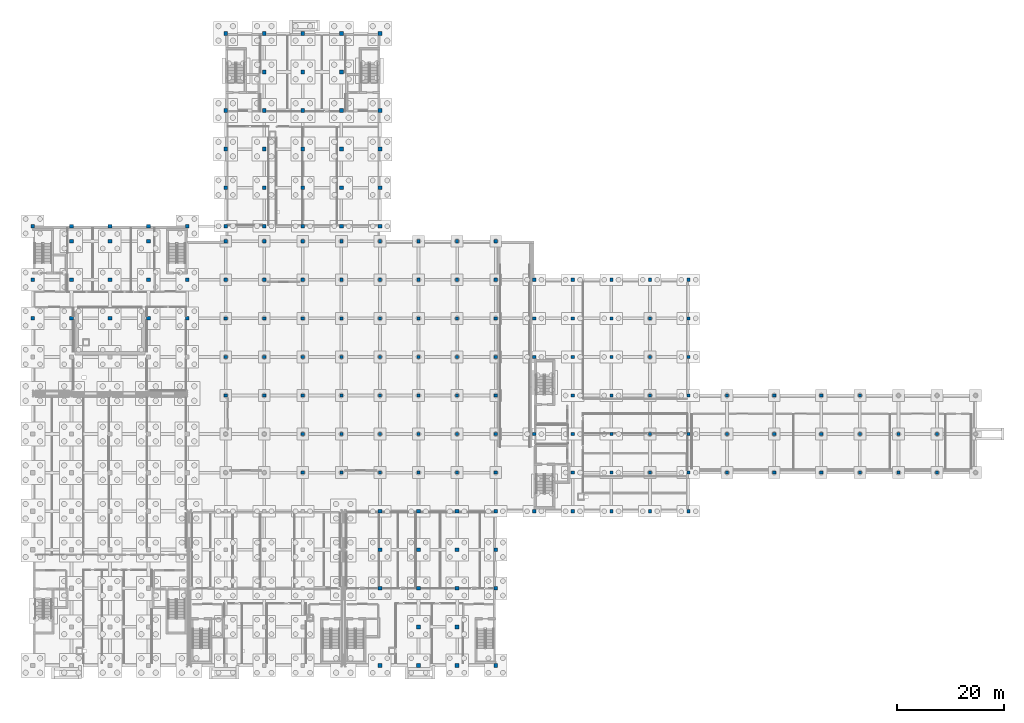
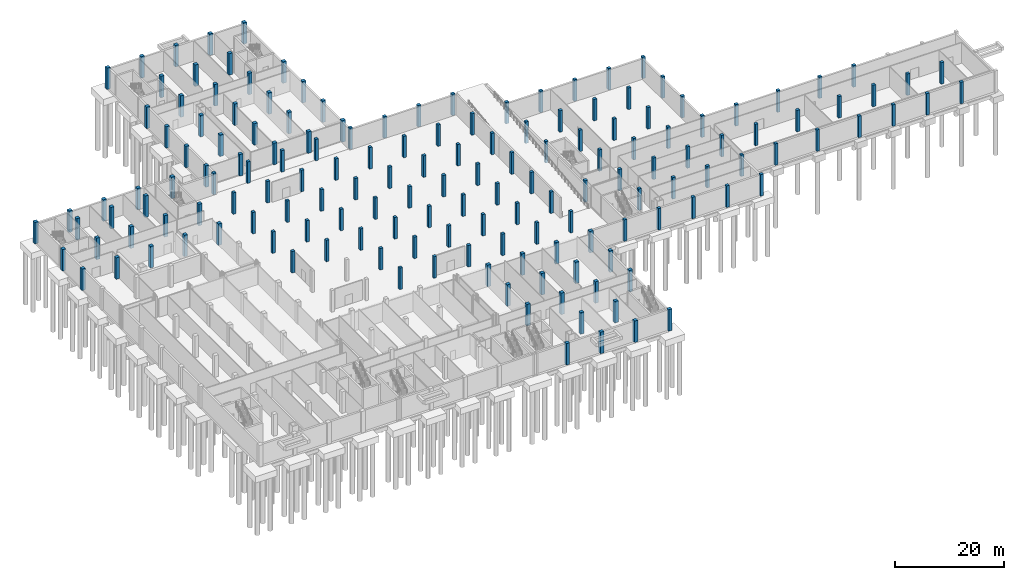
# One storey, part 12 of 35: 165 columns.
"""IFC4 building model written with IfcOpenShell, lengths in metres."""

from ifc_helpers import new_model, si_unit, direction, frame, origin, origin_2d, place, context, subcontext, project, spatial, rectangle, extrude, material, material_profile, profile_set, type_object, element, save


model = new_model("IFC4")

# Units and contexts
model_context = context("Model", 3, precision=1e-05, world=origin(), true_north=direction((0.0, 1.0)))
body_context = subcontext(model_context, "Body", "Model", "MODEL_VIEW")
ifc_project = project(units=[si_unit("LENGTHUNIT", "METRE"), si_unit("AREAUNIT", "SQUARE_METRE"), si_unit("VOLUMEUNIT", "CUBIC_METRE"), si_unit("PLANEANGLEUNIT", "RADIAN"), si_unit("MASSUNIT", "GRAM", prefix="KILO")], contexts=[model_context])

# Site, building, storey
site_placement = place(None, origin())
site = spatial("IfcSite", under=ifc_project, at=site_placement, CompositionType="ELEMENT")
building_placement = place(site_placement, origin())
building = spatial("IfcBuilding", under=site, at=building_placement, Name="Zarrinpeak Specialist Clinic", CompositionType="ELEMENT")
storey_placement = place(building_placement, frame((0.0, 0.0, -4.800048828125)))
storey = spatial("IfcBuildingStorey", under=building, at=storey_placement, Name="B01", CompositionType="ELEMENT", Elevation=-4.800048828125)

# Columns
ifc_material = material(Name="Concrete C40/50", Category="concrete")
ifc_material_profile_1 = material_profile(ifc_material, rectangle(XDim=0.60009765625, YDim=0.60009765625, at=origin_2d()), Name="RC 600x600")
ifc_profile_set_1 = profile_set([ifc_material_profile_1], Name="Concrete C40/50")
column_type_1 = type_object("IfcColumnType", Name="COL-RC600", PredefinedType="COLUMN", material=ifc_profile_set_1)
for number, where, z_axis, x_axis, name in (
    (1, (36.0, 50.39990234375, 0.0), (0.0, 0.0, 1.0), (1.0, 0.0, 0.0), "B01 Structural Column COL-B01-076"),
    (2, (36.0, 57.60009765625, 0.0), (0.0, 0.0, 1.0), (1.0, 0.0, 0.0), "B01 Structural Column COL-B01-077"),
    (3, (36.0, 64.800048828125, 0.0), (0.0, 0.0, 1.0), (1.0, 0.0, 0.0), "B01 Structural Column COL-B01-078"),
    (4, (36.0, 72.0, 0.0), (0.0, 0.0, 1.0), (1.0, 0.0, 0.0), "B01 Structural Column COL-B01-079"),
    (5, (36.0, 79.199951171875, 0.0), (0.0, 0.0, 1.0), (1.0, 0.0, 0.0), "B01 Structural Column COL-B01-080"),
    (6, (43.199951171875, 50.39990234375, 0.0), (0.0, 0.0, 1.0), (1.0, 0.0, 0.0), "B01 Structural Column COL-B01-093"),
    (7, (43.199951171875, 57.60009765625, 0.0), (0.0, 0.0, 1.0), (1.0, 0.0, 0.0), "B01 Structural Column COL-B01-094"),
    (8, (43.199951171875, 64.800048828125, 0.0), (0.0, 0.0, 1.0), (1.0, 0.0, 0.0), "B01 Structural Column COL-B01-095"),
    (9, (43.199951171875, 72.0, 0.0), (0.0, 0.0, 1.0), (1.0, 0.0, 0.0), "B01 Structural Column COL-B01-096"),
    (10, (43.199951171875, 79.199951171875, 0.0), (0.0, 0.0, 1.0), (1.0, 0.0, 0.0), "B01 Structural Column COL-B01-097"),
    (11, (50.39990234375, 36.0, 0.0), (0.0, 0.0, 1.0), (1.0, 0.0, 0.0), "B01 Structural Column COL-B01-109"),
    (12, (50.39990234375, 43.199951171875, 0.0), (0.0, 0.0, 1.0), (1.0, 0.0, 0.0), "B01 Structural Column COL-B01-110"),
    (13, (50.39990234375, 50.39990234375, 0.0), (0.0, 0.0, 1.0), (1.0, 0.0, 0.0), "B01 Structural Column COL-B01-111"),
    (14, (50.39990234375, 57.60009765625, 0.0), (0.0, 0.0, 1.0), (1.0, 0.0, 0.0), "B01 Structural Column COL-B01-112"),
    (15, (50.39990234375, 64.800048828125, 0.0), (0.0, 0.0, 1.0), (1.0, 0.0, 0.0), "B01 Structural Column COL-B01-113"),
    (16, (50.39990234375, 72.0, 0.0), (0.0, 0.0, 1.0), (1.0, 0.0, 0.0), "B01 Structural Column COL-B01-114"),
    (17, (50.39990234375, 79.199951171875, 0.0), (0.0, 0.0, 1.0), (1.0, 0.0, 0.0), "B01 Structural Column COL-B01-115"),
    (18, (57.60009765625, 36.0, 0.0), (0.0, 0.0, 1.0), (1.0, 0.0, 0.0), "B01 Structural Column COL-B01-126"),
    (19, (57.60009765625, 43.199951171875, 0.0), (0.0, 0.0, 1.0), (1.0, 0.0, 0.0), "B01 Structural Column COL-B01-127"),
    (20, (57.60009765625, 50.39990234375, 0.0), (0.0, 0.0, 1.0), (1.0, 0.0, 0.0), "B01 Structural Column COL-B01-128"),
    (21, (57.60009765625, 57.60009765625, 0.0), (0.0, 0.0, 1.0), (1.0, 0.0, 0.0), "B01 Structural Column COL-B01-129"),
    (22, (57.60009765625, 64.800048828125, 0.0), (0.0, 0.0, 1.0), (1.0, 0.0, 0.0), "B01 Structural Column COL-B01-130"),
    (23, (57.60009765625, 72.0, 0.0), (0.0, 0.0, 1.0), (1.0, 0.0, 0.0), "B01 Structural Column COL-B01-131"),
    (24, (57.60009765625, 79.199951171875, 0.0), (0.0, 0.0, 1.0), (1.0, 0.0, 0.0), "B01 Structural Column COL-B01-132"),
    (25, (64.800048828125, 36.0, 0.0), (0.0, 0.0, 1.0), (1.0, 0.0, 0.0), "B01 Structural Column COL-B01-147"),
    (26, (64.800048828125, 43.199951171875, 0.0), (0.0, 0.0, 1.0), (1.0, 0.0, 0.0), "B01 Structural Column COL-B01-148"),
    (27, (64.800048828125, 50.39990234375, 0.0), (0.0, 0.0, 1.0), (1.0, 0.0, 0.0), "B01 Structural Column COL-B01-149"),
    (28, (64.800048828125, 57.60009765625, 0.0), (0.0, 0.0, 1.0), (1.0, 0.0, 0.0), "B01 Structural Column COL-B01-150"),
    (29, (64.800048828125, 64.800048828125, 0.0), (0.0, 0.0, 1.0), (1.0, 0.0, 0.0), "B01 Structural Column COL-B01-151"),
    (30, (64.800048828125, 72.0, 0.0), (0.0, 0.0, 1.0), (1.0, 0.0, 0.0), "B01 Structural Column COL-B01-152"),
    (31, (64.800048828125, 79.199951171875, 0.0), (0.0, 0.0, 1.0), (1.0, 0.0, 0.0), "B01 Structural Column COL-B01-153"),
    (32, (72.0, 36.0, 0.0), (0.0, 0.0, 1.0), (1.0, 0.0, 0.0), "B01 Structural Column COL-B01-164"),
    (33, (72.0, 43.199951171875, 0.0), (0.0, 0.0, 1.0), (1.0, 0.0, 0.0), "B01 Structural Column COL-B01-165"),
    (34, (72.0, 50.39990234375, 0.0), (0.0, 0.0, 1.0), (1.0, 0.0, 0.0), "B01 Structural Column COL-B01-166"),
    (35, (72.0, 57.60009765625, 0.0), (0.0, 0.0, 1.0), (1.0, 0.0, 0.0), "B01 Structural Column COL-B01-167"),
    (36, (72.0, 64.800048828125, 0.0), (0.0, 0.0, 1.0), (1.0, 0.0, 0.0), "B01 Structural Column COL-B01-168"),
    (37, (72.0, 72.0, 0.0), (0.0, 0.0, 1.0), (1.0, 0.0, 0.0), "B01 Structural Column COL-B01-169"),
    (38, (72.0, 79.199951171875, 0.0), (0.0, 0.0, 1.0), (1.0, 0.0, 0.0), "B01 Structural Column COL-B01-170"),
    (39, (79.199951171875, 36.0, 0.0), (0.0, 0.0, 1.0), (1.0, 0.0, 0.0), "B01 Structural Column COL-B01-176"),
    (40, (79.199951171875, 43.199951171875, 0.0), (0.0, 0.0, 1.0), (1.0, 0.0, 0.0), "B01 Structural Column COL-B01-177"),
    (41, (79.199951171875, 50.39990234375, 0.0), (0.0, 0.0, 1.0), (1.0, 0.0, 0.0), "B01 Structural Column COL-B01-178"),
    (42, (79.199951171875, 57.60009765625, 0.0), (0.0, 0.0, 1.0), (1.0, 0.0, 0.0), "B01 Structural Column COL-B01-179"),
    (43, (79.199951171875, 64.800048828125, 0.0), (0.0, 0.0, 1.0), (1.0, 0.0, 0.0), "B01 Structural Column COL-B01-180"),
    (44, (79.199951171875, 72.0, 0.0), (0.0, 0.0, 1.0), (1.0, 0.0, 0.0), "B01 Structural Column COL-B01-181"),
    (45, (79.199951171875, 79.199951171875, 0.0), (0.0, 0.0, 1.0), (1.0, 0.0, 0.0), "B01 Structural Column COL-B01-182"),
    (46, (86.39990234375, 36.0, 0.0), (0.0, 0.0, 1.0), (1.0, 0.0, 0.0), "B01 Structural Column COL-B01-187"),
    (47, (86.39990234375, 43.199951171875, 0.0), (0.0, 0.0, 1.0), (1.0, 0.0, 0.0), "B01 Structural Column COL-B01-188"),
    (48, (86.39990234375, 50.39990234375, 0.0), (0.0, 0.0, 1.0), (1.0, 0.0, 0.0), "B01 Structural Column COL-B01-189"),
    (49, (86.39990234375, 57.60009765625, 0.0), (0.0, 0.0, 1.0), (1.0, 0.0, 0.0), "B01 Structural Column COL-B01-190"),
    (50, (86.39990234375, 64.800048828125, 0.0), (0.0, 0.0, 1.0), (1.0, 0.0, 0.0), "B01 Structural Column COL-B01-191"),
    (51, (86.39990234375, 72.0, 0.0), (0.0, 0.0, 1.0), (1.0, 0.0, 0.0), "B01 Structural Column COL-B01-192"),
    (52, (86.39990234375, 79.199951171875, 0.0), (0.0, 0.0, 1.0), (1.0, 0.0, 0.0), "B01 Structural Column COL-B01-193"),
    (53, (93.60009765625, 28.800048828125, 0.0), (0.0, 0.0, 1.0), (1.0, 0.0, 0.0), "B01 Structural Column COL-B01-194"),
    (54, (93.60009765625, 43.199951171875, 0.0), (0.0, 0.0, 1.0), (1.0, 0.0, 0.0), "B01 Structural Column COL-B01-195"),
    (55, (93.60009765625, 57.60009765625, 0.0), (0.0, 0.0, 1.0), (1.0, 0.0, 0.0), "B01 Structural Column COL-B01-196"),
    (56, (93.60009765625, 64.800048828125, 0.0), (0.0, 0.0, 1.0), (1.0, 0.0, 0.0), "B01 Structural Column COL-B01-197"),
    (57, (93.60009765625, 72.0, 0.0), (0.0, 0.0, 1.0), (1.0, 0.0, 0.0), "B01 Structural Column COL-B01-198"),
    (58, (100.800048828125, 28.800048828125, 0.0), (0.0, 0.0, 1.0), (1.0, 0.0, 0.0), "B01 Structural Column COL-B01-199"),
    (59, (100.800048828125, 36.0, 0.0), (0.0, 0.0, 1.0), (1.0, 0.0, 0.0), "B01 Structural Column COL-B01-200"),
    (60, (100.800048828125, 43.199951171875, 0.0), (0.0, 0.0, 1.0), (1.0, 0.0, 0.0), "B01 Structural Column COL-B01-201"),
    (61, (100.800048828125, 50.39990234375, 0.0), (0.0, 0.0, 1.0), (1.0, 0.0, 0.0), "B01 Structural Column COL-B01-202"),
    (62, (100.800048828125, 57.60009765625, 0.0), (0.0, 0.0, 1.0), (1.0, 0.0, 0.0), "B01 Structural Column COL-B01-203"),
    (63, (100.800048828125, 64.800048828125, 0.0), (0.0, 0.0, 1.0), (1.0, 0.0, 0.0), "B01 Structural Column COL-B01-204"),
    (64, (100.800048828125, 72.0, 0.0), (0.0, 0.0, 1.0), (1.0, 0.0, 0.0), "B01 Structural Column COL-B01-205"),
    (65, (108.0, 28.800048828125, 0.0), (0.0, 0.0, 1.0), (1.0, 0.0, 0.0), "B01 Structural Column COL-B01-206"),
    (66, (108.0, 36.0, 0.0), (0.0, 0.0, 1.0), (1.0, 0.0, 0.0), "B01 Structural Column COL-B01-207"),
    (67, (108.0, 43.199951171875, 0.0), (0.0, 0.0, 1.0), (1.0, 0.0, 0.0), "B01 Structural Column COL-B01-208"),
    (68, (108.0, 50.39990234375, 0.0), (0.0, 0.0, 1.0), (1.0, 0.0, 0.0), "B01 Structural Column COL-B01-209"),
    (69, (108.0, 57.60009765625, 0.0), (0.0, 0.0, 1.0), (1.0, 0.0, 0.0), "B01 Structural Column COL-B01-210"),
    (70, (108.0, 64.800048828125, 0.0), (0.0, 0.0, 1.0), (1.0, 0.0, 0.0), "B01 Structural Column COL-B01-211"),
    (71, (108.0, 72.0, 0.0), (0.0, 0.0, 1.0), (1.0, 0.0, 0.0), "B01 Structural Column COL-B01-212"),
    (72, (115.199951171875, 28.800048828125, 0.0), (0.0, 0.0, 1.0), (1.0, 0.0, 0.0), "B01 Structural Column COL-B01-213"),
    (73, (115.199951171875, 36.0, 0.0), (0.0, 0.0, 1.0), (1.0, 0.0, 0.0), "B01 Structural Column COL-B01-214"),
    (74, (115.199951171875, 43.199951171875, 0.0), (0.0, 0.0, 1.0), (1.0, 0.0, 0.0), "B01 Structural Column COL-B01-215"),
    (75, (115.199951171875, 50.39990234375, 0.0), (0.0, 0.0, 1.0), (1.0, 0.0, 0.0), "B01 Structural Column COL-B01-216"),
    (76, (115.199951171875, 57.60009765625, 0.0), (0.0, 0.0, 1.0), (1.0, 0.0, 0.0), "B01 Structural Column COL-B01-217"),
    (77, (115.199951171875, 64.800048828125, 0.0), (0.0, 0.0, 1.0), (1.0, 0.0, 0.0), "B01 Structural Column COL-B01-218"),
    (78, (115.199951171875, 72.0, 0.0), (0.0, 0.0, 1.0), (1.0, 0.0, 0.0), "B01 Structural Column COL-B01-219"),
    (79, (122.39990234375, 28.800048828125, 0.0), (0.0, 0.0, 1.0), (1.0, 0.0, 0.0), "B01 Structural Column COL-B01-220"),
    (80, (122.39990234375, 36.0, 0.0), (0.0, 0.0, 1.0), (1.0, 0.0, 0.0), "B01 Structural Column COL-B01-221"),
    (81, (122.39990234375, 43.199951171875, 0.0), (0.0, 0.0, 1.0), (1.0, 0.0, 0.0), "B01 Structural Column COL-B01-222"),
    (82, (122.39990234375, 50.39990234375, 0.0), (0.0, 0.0, 1.0), (1.0, 0.0, 0.0), "B01 Structural Column COL-B01-223"),
    (83, (122.39990234375, 57.60009765625, 0.0), (0.0, 0.0, 1.0), (1.0, 0.0, 0.0), "B01 Structural Column COL-B01-224"),
    (84, (122.39990234375, 64.800048828125, 0.0), (0.0, 0.0, 1.0), (1.0, 0.0, 0.0), "B01 Structural Column COL-B01-225"),
    (85, (122.39990234375, 72.0, 0.0), (0.0, 0.0, 1.0), (1.0, 0.0, 0.0), "B01 Structural Column COL-B01-226"),
    (86, (129.60009765625, 36.0, 0.0), (0.0, 0.0, 1.0), (1.0, 0.0, 0.0), "B01 Structural Column COL-B01-227"),
    (87, (129.60009765625, 43.199951171875, 0.0), (0.0, 0.0, 1.0), (1.0, 0.0, 0.0), "B01 Structural Column COL-B01-228"),
    (88, (129.60009765625, 50.39990234375, 0.0), (0.0, 0.0, 1.0), (1.0, 0.0, 0.0), "B01 Structural Column COL-B01-229"),
    (89, (138.39990234375, 36.0, 0.0), (0.0, 0.0, 1.0), (1.0, 0.0, 0.0), "B01 Structural Column COL-B01-230"),
    (90, (138.39990234375, 43.199951171875, 0.0), (0.0, 0.0, 1.0), (1.0, 0.0, 0.0), "B01 Structural Column COL-B01-231"),
    (91, (138.39990234375, 50.39990234375, 0.0), (0.0, 0.0, 1.0), (1.0, 0.0, 0.0), "B01 Structural Column COL-B01-232"),
    (92, (147.199951171875, 36.0, 0.0), (0.0, 0.0, 1.0), (1.0, 0.0, 0.0), "B01 Structural Column COL-B01-233"),
    (93, (147.199951171875, 43.199951171875, 0.0), (0.0, 0.0, 1.0), (1.0, 0.0, 0.0), "B01 Structural Column COL-B01-234"),
    (94, (147.199951171875, 50.39990234375, 0.0), (0.0, 0.0, 1.0), (1.0, 0.0, 0.0), "B01 Structural Column COL-B01-235"),
    (95, (154.39990234375, 36.0, 0.0), (0.0, 0.0, 1.0), (1.0, 0.0, 0.0), "B01 Structural Column COL-B01-236"),
    (96, (154.39990234375, 43.199951171875, 0.0), (0.0, 0.0, 1.0), (1.0, 0.0, 0.0), "B01 Structural Column COL-B01-237"),
    (97, (154.39990234375, 50.39990234375, 0.0), (0.0, 0.0, 1.0), (1.0, 0.0, 0.0), "B01 Structural Column COL-B01-238"),
    (98, (161.60009765625, 36.0, 0.0), (0.0, 0.0, 1.0), (1.0, 0.0, 0.0), "B01 Structural Column COL-B01-239"),
    (99, (161.60009765625, 43.199951171875, 0.0), (0.0, 0.0, 1.0), (1.0, 0.0, 0.0), "B01 Structural Column COL-B01-240"),
    (100, (168.800048828125, 36.0, 0.0), (0.0, 0.0, 1.0), (1.0, 0.0, 0.0), "B01 Structural Column COL-B01-242"),
    (101, (168.800048828125, 43.199951171875, 0.0), (0.0, 0.0, 1.0), (1.0, 0.0, 0.0), "B01 Structural Column COL-B01-243"),
):
    element("IfcColumn", number, at=place(storey_placement, frame(where, z_axis=z_axis, x_axis=x_axis)), inside=storey, type_object=column_type_1, Name=name, PredefinedType="COLUMN", context=body_context, shape_type="SweptSolid", body=[
        extrude(rectangle(XDim=0.60009765625, YDim=0.60009765625, at=origin_2d()), origin(), (0.0, 0.0, 1.0), 4.800048828125),
    ])
ifc_material_profile_2 = material_profile(ifc_material, rectangle(XDim=0.699951171875, YDim=0.699951171875, at=origin_2d()), Name="RC 700x700")
ifc_profile_set_2 = profile_set([ifc_material_profile_2], Name="Concrete C40/50")
column_type_2 = type_object("IfcColumnType", Name="COL-RC700", PredefinedType="COLUMN", material=ifc_profile_set_2)
for number, where, z_axis, x_axis, name in (
    (102, (0.0, 64.800048828125, 0.0), (0.0, 0.0, 1.0), (1.0, 0.0, 0.0), "B01 Structural Column COL-B01-009"),
    (103, (0.0, 72.0, 0.0), (0.0, 0.0, 1.0), (1.0, 0.0, 0.0), "B01 Structural Column COL-B01-010"),
    (104, (0.0, 82.0, 0.0), (0.0, 0.0, 1.0), (1.0, 0.0, 0.0), "B01 Structural Column COL-B01-011"),
    (105, (7.199951171875, 64.800048828125, 0.0), (0.0, 0.0, 1.0), (1.0, 0.0, 0.0), "B01 Structural Column COL-B01-022"),
    (106, (7.199951171875, 72.0, 0.0), (0.0, 0.0, 1.0), (1.0, 0.0, 0.0), "B01 Structural Column COL-B01-023"),
    (107, (7.199951171875, 79.199951171875, 0.0), (0.0, 0.0, 1.0), (1.0, 0.0, 0.0), "B01 Structural Column COL-B01-024"),
    (108, (7.199951171875, 82.0, 0.0), (0.0, 0.0, 1.0), (1.0, 0.0, 0.0), "B01 Structural Column COL-B01-025"),
    (109, (14.39990234375, 64.800048828125, 0.0), (0.0, 0.0, 1.0), (1.0, 0.0, 0.0), "B01 Structural Column COL-B01-036"),
    (110, (14.39990234375, 72.0, 0.0), (0.0, 0.0, 1.0), (1.0, 0.0, 0.0), "B01 Structural Column COL-B01-037"),
    (111, (14.39990234375, 79.199951171875, 0.0), (0.0, 0.0, 1.0), (1.0, 0.0, 0.0), "B01 Structural Column COL-B01-038"),
    (112, (14.39990234375, 82.0, 0.0), (0.0, 0.0, 1.0), (1.0, 0.0, 0.0), "B01 Structural Column COL-B01-039"),
    (113, (21.60009765625, 64.800048828125, 0.0), (0.0, 0.0, 1.0), (1.0, 0.0, 0.0), "B01 Structural Column COL-B01-050"),
    (114, (21.60009765625, 72.0, 0.0), (0.0, 0.0, 1.0), (1.0, 0.0, 0.0), "B01 Structural Column COL-B01-051"),
    (115, (21.60009765625, 79.199951171875, 0.0), (0.0, 0.0, 1.0), (1.0, 0.0, 0.0), "B01 Structural Column COL-B01-052"),
    (116, (21.60009765625, 82.0, 0.0), (0.0, 0.0, 1.0), (1.0, 0.0, 0.0), "B01 Structural Column COL-B01-053"),
    (117, (28.800048828125, 64.800048828125, 0.0), (0.0, 0.0, 1.0), (1.0, 0.0, 0.0), "B01 Structural Column COL-B01-062"),
    (118, (28.800048828125, 72.0, 0.0), (0.0, 0.0, 1.0), (1.0, 0.0, 0.0), "B01 Structural Column COL-B01-063"),
    (119, (28.800048828125, 82.0, 0.0), (0.0, 0.0, 1.0), (1.0, 0.0, 0.0), "B01 Structural Column COL-B01-064"),
    (120, (36.0, 82.0, 0.0), (0.0, 0.0, 1.0), (1.0, 0.0, 0.0), "B01 Structural Column COL-B01-081"),
    (121, (36.0, 89.199951171875, 0.0), (0.0, 0.0, 1.0), (1.0, 0.0, 0.0), "B01 Structural Column COL-B01-082"),
    (122, (36.0, 96.39990234375, 0.0), (0.0, 0.0, 1.0), (1.0, 0.0, 0.0), "B01 Structural Column COL-B01-083"),
    (123, (36.0, 103.60009765625, 0.0), (0.0, 0.0, 1.0), (1.0, 0.0, 0.0), "B01 Structural Column COL-B01-084"),
    (124, (36.0, 118.0, 0.0), (0.0, 0.0, 1.0), (1.0, 0.0, 0.0), "B01 Structural Column COL-B01-085"),
    (125, (43.199951171875, 82.0, 0.0), (0.0, 0.0, 1.0), (1.0, 0.0, 0.0), "B01 Structural Column COL-B01-098"),
    (126, (43.199951171875, 89.199951171875, 0.0), (0.0, 0.0, 1.0), (1.0, 0.0, 0.0), "B01 Structural Column COL-B01-099"),
    (127, (43.199951171875, 96.39990234375, 0.0), (0.0, 0.0, 1.0), (1.0, 0.0, 0.0), "B01 Structural Column COL-B01-100"),
    (128, (43.199951171875, 103.60009765625, 0.0), (0.0, 0.0, 1.0), (1.0, 0.0, 0.0), "B01 Structural Column COL-B01-101"),
    (129, (43.199951171875, 110.800048828125, 0.0), (0.0, 0.0, 1.0), (1.0, 0.0, 0.0), "B01 Structural Column COL-B01-102"),
    (130, (43.199951171875, 118.0, 0.0), (0.0, 0.0, 1.0), (1.0, 0.0, 0.0), "B01 Structural Column COL-B01-103"),
    (131, (50.39990234375, 82.0, 0.0), (0.0, 0.0, 1.0), (1.0, 0.0, 0.0), "B01 Structural Column COL-B01-116"),
    (132, (50.39990234375, 89.199951171875, 0.0), (0.0, 0.0, 1.0), (1.0, 0.0, 0.0), "B01 Structural Column COL-B01-117"),
    (133, (50.39990234375, 96.39990234375, 0.0), (0.0, 0.0, 1.0), (1.0, 0.0, 0.0), "B01 Structural Column COL-B01-118"),
    (134, (50.39990234375, 103.60009765625, 0.0), (0.0, 0.0, 1.0), (1.0, 0.0, 0.0), "B01 Structural Column COL-B01-119"),
    (135, (50.39990234375, 110.800048828125, 0.0), (0.0, 0.0, 1.0), (1.0, 0.0, 0.0), "B01 Structural Column COL-B01-120"),
    (136, (50.39990234375, 118.0, 0.0), (0.0, 0.0, 1.0), (1.0, 0.0, 0.0), "B01 Structural Column COL-B01-121"),
    (137, (57.60009765625, 82.0, 0.0), (0.0, 0.0, 1.0), (1.0, 0.0, 0.0), "B01 Structural Column COL-B01-133"),
    (138, (57.60009765625, 89.199951171875, 0.0), (0.0, 0.0, 1.0), (1.0, 0.0, 0.0), "B01 Structural Column COL-B01-134"),
    (139, (57.60009765625, 96.39990234375, 0.0), (0.0, 0.0, 1.0), (1.0, 0.0, 0.0), "B01 Structural Column COL-B01-135"),
    (140, (57.60009765625, 103.60009765625, 0.0), (0.0, 0.0, 1.0), (1.0, 0.0, 0.0), "B01 Structural Column COL-B01-136"),
    (141, (57.60009765625, 110.800048828125, 0.0), (0.0, 0.0, 1.0), (1.0, 0.0, 0.0), "B01 Structural Column COL-B01-137"),
    (142, (57.60009765625, 118.0, 0.0), (0.0, 0.0, 1.0), (1.0, 0.0, 0.0), "B01 Structural Column COL-B01-138"),
    (143, (64.800048828125, 0.0, 0.0), (0.0, 0.0, 1.0), (1.0, 0.0, 0.0), "B01 Structural Column COL-B01-143"),
    (144, (64.800048828125, 14.39990234375, 0.0), (0.0, 0.0, 1.0), (1.0, 0.0, 0.0), "B01 Structural Column COL-B01-144"),
    (145, (64.800048828125, 21.60009765625, 0.0), (0.0, 0.0, 1.0), (1.0, 0.0, 0.0), "B01 Structural Column COL-B01-145"),
    (146, (64.800048828125, 28.800048828125, 0.0), (0.0, 0.0, 1.0), (1.0, 0.0, 0.0), "B01 Structural Column COL-B01-146"),
    (147, (64.800048828125, 82.0, 0.0), (0.0, 0.0, 1.0), (1.0, 0.0, 0.0), "B01 Structural Column COL-B01-154"),
    (148, (64.800048828125, 89.199951171875, 0.0), (0.0, 0.0, 1.0), (1.0, 0.0, 0.0), "B01 Structural Column COL-B01-155"),
    (149, (64.800048828125, 96.39990234375, 0.0), (0.0, 0.0, 1.0), (1.0, 0.0, 0.0), "B01 Structural Column COL-B01-156"),
    (150, (64.800048828125, 103.60009765625, 0.0), (0.0, 0.0, 1.0), (1.0, 0.0, 0.0), "B01 Structural Column COL-B01-157"),
    (151, (64.800048828125, 118.0, 0.0), (0.0, 0.0, 1.0), (1.0, 0.0, 0.0), "B01 Structural Column COL-B01-158"),
    (152, (72.0, 0.0, 0.0), (0.0, 0.0, 1.0), (1.0, 0.0, 0.0), "B01 Structural Column COL-B01-159"),
    (153, (72.0, 7.199951171875, 0.0), (0.0, 0.0, 1.0), (1.0, 0.0, 0.0), "B01 Structural Column COL-B01-160"),
    (154, (72.0, 14.39990234375, 0.0), (0.0, 0.0, 1.0), (1.0, 0.0, 0.0), "B01 Structural Column COL-B01-161"),
    (155, (72.0, 21.60009765625, 0.0), (0.0, 0.0, 1.0), (1.0, 0.0, 0.0), "B01 Structural Column COL-B01-162"),
    (156, (72.0, 28.800048828125, 0.0), (0.0, 0.0, 1.0), (1.0, 0.0, 0.0), "B01 Structural Column COL-B01-163"),
    (157, (79.199951171875, 0.0, 0.0), (0.0, 0.0, 1.0), (1.0, 0.0, 0.0), "B01 Structural Column COL-B01-171"),
    (158, (79.199951171875, 7.199951171875, 0.0), (0.0, 0.0, 1.0), (1.0, 0.0, 0.0), "B01 Structural Column COL-B01-172"),
    (159, (79.199951171875, 14.39990234375, 0.0), (0.0, 0.0, 1.0), (1.0, 0.0, 0.0), "B01 Structural Column COL-B01-173"),
    (160, (79.199951171875, 21.60009765625, 0.0), (0.0, 0.0, 1.0), (1.0, 0.0, 0.0), "B01 Structural Column COL-B01-174"),
    (161, (79.199951171875, 28.800048828125, 0.0), (0.0, 0.0, 1.0), (1.0, 0.0, 0.0), "B01 Structural Column COL-B01-175"),
    (162, (86.39990234375, 0.0, 0.0), (0.0, 0.0, 1.0), (1.0, 0.0, 0.0), "B01 Structural Column COL-B01-183"),
    (163, (86.39990234375, 14.39990234375, 0.0), (0.0, 0.0, 1.0), (1.0, 0.0, 0.0), "B01 Structural Column COL-B01-184"),
    (164, (86.39990234375, 21.60009765625, 0.0), (0.0, 0.0, 1.0), (1.0, 0.0, 0.0), "B01 Structural Column COL-B01-185"),
    (165, (86.39990234375, 28.800048828125, 0.0), (0.0, 0.0, 1.0), (1.0, 0.0, 0.0), "B01 Structural Column COL-B01-186"),
):
    element("IfcColumn", number, at=place(storey_placement, frame(where, z_axis=z_axis, x_axis=x_axis)), inside=storey, type_object=column_type_2, Name=name, PredefinedType="COLUMN", context=body_context, shape_type="SweptSolid", body=[
        extrude(rectangle(XDim=0.699951171875, YDim=0.699951171875, at=origin_2d()), origin(), (0.0, 0.0, 1.0), 4.800048828125),
    ])

save(model, "model.ifc")
